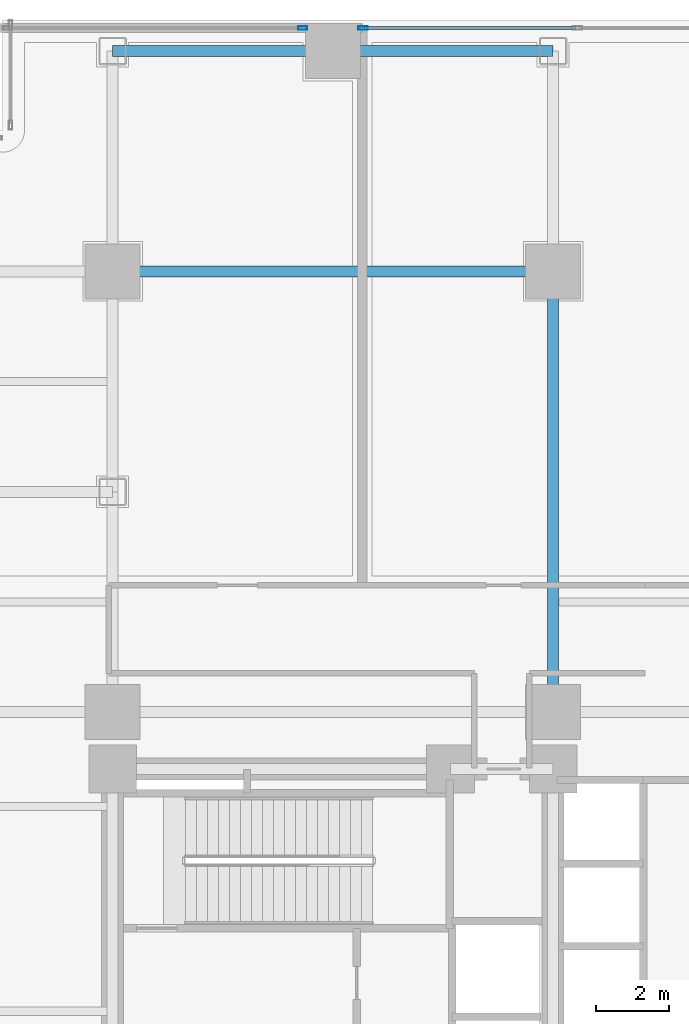
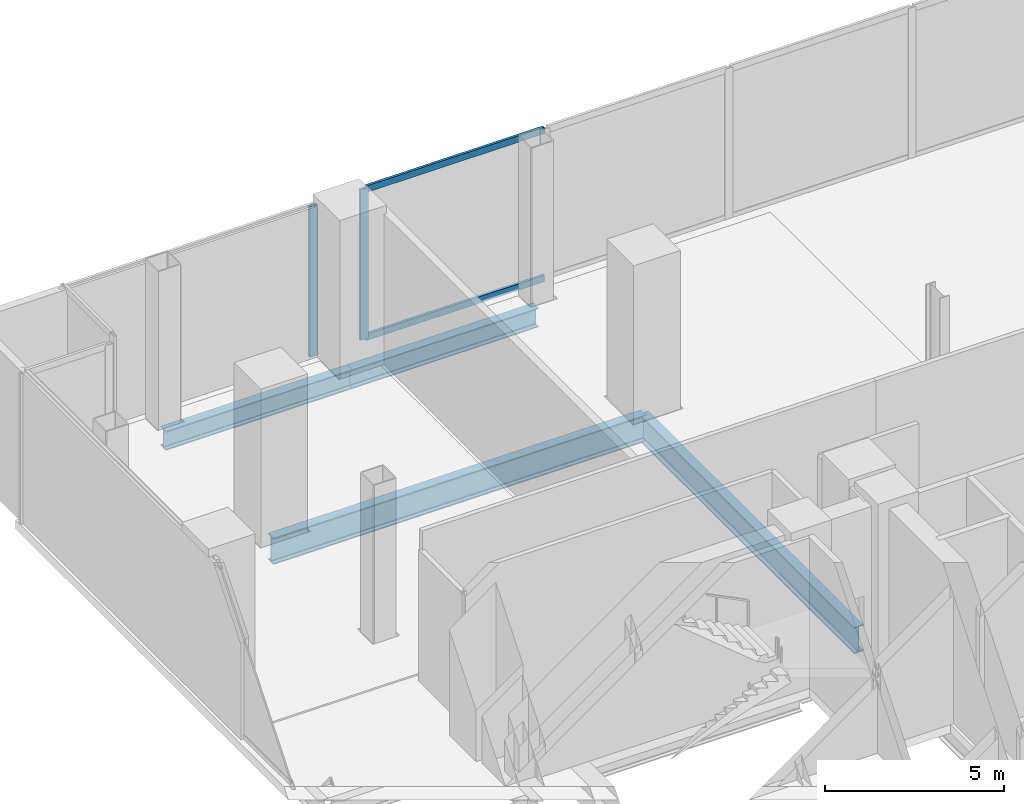
# One storey, part 14 of 27: 4 beams, 4 members, 2 elements without a shape of their own.
"""IFC4 building model written with IfcOpenShell, lengths in metres."""

from ifc_helpers import new_model, si_unit, direction, frame, origin, origin_2d, place, context, subcontext, project, spatial, hollow_rectangle, i_section, extrude, material, layer, layer_set, material_profile, profile_set, type_object, element, aggregate, save


model = new_model("IFC4")

# Units and contexts
model_context = context("Model", 3, precision=1e-05, world=origin(), true_north=direction((0.0, 1.0)))
body_context = subcontext(model_context, "Body", "Model", "MODEL_VIEW")
ifc_project = project(units=[si_unit("LENGTHUNIT", "METRE"), si_unit("AREAUNIT", "SQUARE_METRE"), si_unit("VOLUMEUNIT", "CUBIC_METRE"), si_unit("PLANEANGLEUNIT", "RADIAN"), si_unit("MASSUNIT", "GRAM", prefix="KILO"), si_unit("THERMODYNAMICTEMPERATUREUNIT", "KELVIN"), si_unit("POWERUNIT", "WATT")], contexts=[model_context])

# Site, building, storey
site_placement = place(None, origin())
site = spatial("IfcSite", under=ifc_project, at=site_placement, CompositionType="ELEMENT")
building_placement = place(site_placement, origin())
building = spatial("IfcBuilding", under=site, at=building_placement, Name="Svarakhadi Broadcast Tower", CompositionType="ELEMENT")
storey_placement = place(building_placement, frame((0.0, 0.0, 5.699951171875)))
storey = spatial("IfcBuildingStorey", under=building, at=storey_placement, Name="L01", CompositionType="ELEMENT", Elevation=5.699951171875)

# Curtain wall, member
ifc_material_1 = material(Name="Anodised Bronze Aluminium AA 6063-T6", Category="aluminium")
ifc_layer = layer(ifc_material_1, 0.25)
ifc_layer_set = layer_set([ifc_layer], Name="Anodised Bronze Aluminium AA 6063-T6")
curtain_wall_type = type_object("IfcCurtainWallType", Name="CW_Sys_01", PredefinedType="NOTDEFINED", material=ifc_layer_set)
curtain_wall_1_placement = place(storey_placement, origin())
curtain_wall_1 = element("IfcCurtainWall", 1, at=curtain_wall_1_placement, inside=storey, type_object=curtain_wall_type, Name="L01 Unitised Facade Curtain Wall 05 Bay 1", PredefinedType="NOTDEFINED")
ifc_material_profile_1 = material_profile(ifc_material_1, hollow_rectangle(XDim=0.094970703125, YDim=0.25, WallThickness=0.006103515625, at=origin_2d()), Name="ALU MULLION 250x95x6")
ifc_profile_set_1 = profile_set([ifc_material_profile_1], Name="Anodised Bronze Aluminium AA 6063-T6")
member_type_1 = type_object("IfcMemberType", Name="CW_Sys_01_Mul", PredefinedType="MULLION", material=ifc_profile_set_1)
member_1_placement = place(storey_placement, frame((11.1826171875, 47.780029296875, 0.0), z_axis=(0.0, 0.0, 1.0), x_axis=(0.0, 1.0, 0.0)))
member_1 = element("IfcMember", 2, at=member_1_placement, type_object=member_type_1, Name="CW-01 mullion 2", PredefinedType="MULLION", context=body_context, shape_type="SweptSolid", body=[
    extrude(hollow_rectangle(XDim=0.094970703125, YDim=0.25, WallThickness=0.006103515625, at=origin_2d()), origin(), (0.0, 0.0, 1.0), 5.125),
])
aggregate(curtain_wall_1, [member_1])

# Curtain wall, members
curtain_wall_2_placement = place(storey_placement, origin())
curtain_wall_2 = element("IfcCurtainWall", 3, at=curtain_wall_2_placement, inside=storey, type_object=curtain_wall_type, Name="L01 Unitised Facade Curtain Wall 05 Bay 2", PredefinedType="NOTDEFINED")
member_2_placement = place(storey_placement, frame((12.8173828125, 47.780029296875, 0.0), z_axis=(0.0, 0.0, 1.0), x_axis=(0.0, 1.0, 0.0)))
member_2 = element("IfcMember", 4, at=member_2_placement, type_object=member_type_1, Name="CW-01 mullion 1", PredefinedType="MULLION", context=body_context, shape_type="SweptSolid", body=[
    extrude(hollow_rectangle(XDim=0.094970703125, YDim=0.25, WallThickness=0.006103515625, at=origin_2d()), origin(), (0.0, 0.0, 1.0), 5.125),
])
ifc_material_profile_2 = material_profile(ifc_material_1, hollow_rectangle(XDim=0.0849609375, YDim=0.219970703125, WallThickness=0.0048828125, at=origin_2d()), Name="ALU TRANSOM 220x85x5")
ifc_profile_set_2 = profile_set([ifc_material_profile_2], Name="Anodised Bronze Aluminium AA 6063-T6")
member_type_2 = type_object("IfcMemberType", Name="CW_Sys_01_Trn", PredefinedType="USERDEFINED", material=ifc_profile_set_2)
member_3_placement = place(storey_placement, frame((12.864990234375, 47.780029296875, 0.04248046875), z_axis=(1.0, 0.0, 0.0), x_axis=(0.0, 1.0, 0.0)))
member_3 = element("IfcMember", 5, at=member_3_placement, type_object=member_type_2, Name="CW-01 transom 1.1", ObjectType="TRANSOM", PredefinedType="USERDEFINED", context=body_context, shape_type="SweptSolid", body=[
    extrude(hollow_rectangle(XDim=0.0849609375, YDim=0.219970703125, WallThickness=0.0048828125, at=origin_2d()), origin(), (0.0, 0.0, 1.0), 5.75),
])
member_4_placement = place(storey_placement, frame((12.864990234375, 47.780029296875, 5.08251953125), z_axis=(1.0, 0.0, 0.0), x_axis=(0.0, 1.0, 0.0)))
member_4 = element("IfcMember", 6, at=member_4_placement, type_object=member_type_2, Name="CW-01 transom 1.2", ObjectType="TRANSOM", PredefinedType="USERDEFINED", context=body_context, shape_type="SweptSolid", body=[
    extrude(hollow_rectangle(XDim=0.0849609375, YDim=0.219970703125, WallThickness=0.0048828125, at=origin_2d()), origin(), (0.0, 0.0, 1.0), 5.75),
])
aggregate(curtain_wall_2, [member_2, member_3, member_4])

# Beams
ifc_material_2 = material(Name="Steel S355J2 (IS 2062 E350C)", Category="steel")
ifc_material_profile_3 = material_profile(ifc_material_2, i_section(OverallWidth=0.300048828125, OverallDepth=0.64990234375, WebThickness=0.01611328125, FlangeThickness=0.031005859375, FilletRadius=0.027099609375, at=origin_2d()), Name="WPB 650x300x225")
ifc_profile_set_3 = profile_set([ifc_material_profile_3], Name="Steel S355J2 (IS 2062 E350C)")
beam_type_1 = type_object("IfcBeamType", Name="Girder_WPB650", PredefinedType="USERDEFINED", material=ifc_profile_set_3)
for number, where, z_axis, x_axis, name in (
    (7, (6.0, 47.14990234375, -0.625), (1.0, 0.0, 0.0), (0.0, 1.0, 0.0), "L01 Primary E-W Girder G042"),
    (8, (12.0, 47.14990234375, -0.625), (1.0, 0.0, 0.0), (0.0, 1.0, 0.0), "L01 Primary E-W Girder G043"),
):
    element("IfcBeam", number, at=place(storey_placement, frame(where, z_axis=z_axis, x_axis=x_axis)), inside=storey, type_object=beam_type_1, Name=name, ObjectType="GIRDER", PredefinedType="USERDEFINED", context=body_context, shape_type="SweptSolid", body=[
        extrude(i_section(OverallWidth=0.300048828125, OverallDepth=0.64990234375, WebThickness=0.01611328125, FlangeThickness=0.031005859375, FilletRadius=0.027099609375, at=origin_2d()), origin(), (0.0, 0.0, 1.0), 6.0),
    ])
ifc_material_3 = material(Name="Steel S460ML (IS 2062 E450BR)", Category="steel")
ifc_material_profile_4 = material_profile(ifc_material_3, i_section(OverallWidth=0.300048828125, OverallDepth=0.89990234375, WebThickness=0.0185546875, FlangeThickness=0.034912109375, FilletRadius=0.030029296875, at=origin_2d()), Name="WPB 900x300x291")
ifc_profile_set_4 = profile_set([ifc_material_profile_4], Name="Steel S460ML (IS 2062 E450BR)")
beam_type_2 = type_object("IfcBeamType", Name="Girder_WPB900", PredefinedType="USERDEFINED", material=ifc_profile_set_4)
for number, where, z_axis, x_axis, name in (
    (9, (6.0, 41.14990234375, -0.75), (1.0, 0.0, 0.0), (0.0, 1.0, 0.0), "L01 Primary E-W Girder G041"),
    (10, (18.0, 29.14990234375, -0.75), (0.0, 1.0, 0.0), (-1.0, 0.0, 0.0), "L01 Primary N-S Girder G062"),
):
    element("IfcBeam", number, at=place(storey_placement, frame(where, z_axis=z_axis, x_axis=x_axis)), inside=storey, type_object=beam_type_2, Name=name, ObjectType="GIRDER", PredefinedType="USERDEFINED", context=body_context, shape_type="SweptSolid", body=[
        extrude(i_section(OverallWidth=0.300048828125, OverallDepth=0.89990234375, WebThickness=0.0185546875, FlangeThickness=0.034912109375, FilletRadius=0.030029296875, at=origin_2d()), origin(), (0.0, 0.0, 1.0), 12.0),
    ])

save(model, "model.ifc")
